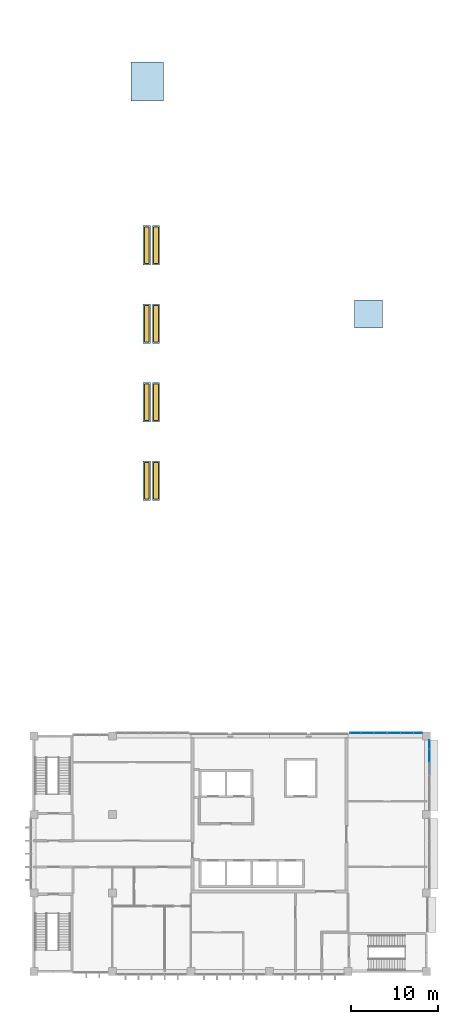
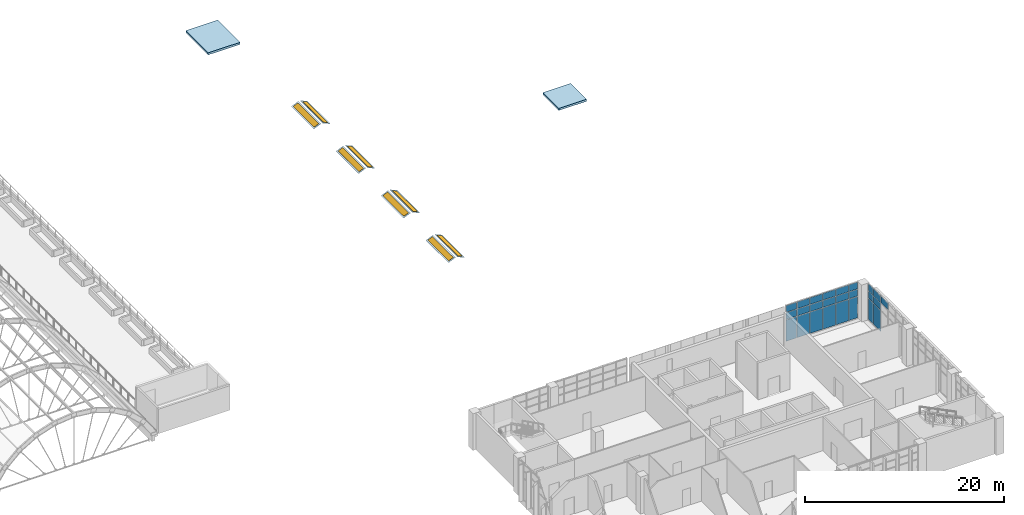
# One storey, part 49 of 79: 25 plates, 10 slabs, 8 windows, 8 openings, 2 elements without a shape of their own.
"""IFC4 building model written with IfcOpenShell, lengths in metres."""

from ifc_helpers import new_model, si_unit, direction, frame, origin, origin_2d, place, context, subcontext, project, spatial, polyline, rectangle, outline, extrude, material, layer, layer_set, type_object, element, fill, aggregate, save


model = new_model("IFC4")

# Units and contexts
model_context = context("Model", 3, precision=1e-05, world=origin(), true_north=direction((0.0, 1.0)))
body_context = subcontext(model_context, "Body", "Model", "MODEL_VIEW")
ifc_project = project(units=[si_unit("LENGTHUNIT", "METRE"), si_unit("AREAUNIT", "SQUARE_METRE"), si_unit("VOLUMEUNIT", "CUBIC_METRE"), si_unit("PLANEANGLEUNIT", "RADIAN"), si_unit("MASSUNIT", "GRAM", prefix="KILO")], contexts=[model_context])

# Site, building, storey
site_placement = place(None, origin())
site = spatial("IfcSite", under=ifc_project, at=site_placement, CompositionType="ELEMENT")
building_placement = place(site_placement, origin())
building = spatial("IfcBuilding", under=site, at=building_placement, Name="Guidao Yard Department Store", CompositionType="ELEMENT")
storey_placement = place(building_placement, frame((0.0, 0.0, 15.0)))
storey = spatial("IfcBuildingStorey", under=building, at=storey_placement, Name="L03", CompositionType="ELEMENT", Elevation=15.0)

# Slabs
ifc_material_1 = material(Name="Concrete C35", Category="concrete")
ifc_layer_1 = layer(ifc_material_1, 0.25)
ifc_layer_set_1 = layer_set([ifc_layer_1], Name="Roof slab RC 250 C35 head house")
slab_type_1 = type_object("IfcSlabType", Name="Roof slab RC 250 C35 head house", PredefinedType="ROOF", material=ifc_layer_set_1)
slab_1_placement = place(storey_placement, origin())
element("IfcSlab", 1, at=slab_1_placement, inside=storey, type_object=slab_type_1, Name="Lift overrun cover slab FG1", PredefinedType="ROOF", context=body_context, shape_type="SweptSolid", body=[
    extrude(outline(polyline([(137.14990234375, 99.75), (140.85009765625, 99.75), (140.85009765625, 104.25), (137.14990234375, 104.25), (137.14990234375, 99.75)])), origin(), (0.0, 0.0, 1.0), 0.25),
])
slab_2_placement = place(storey_placement, origin())
element("IfcSlab", 2, at=slab_2_placement, inside=storey, type_object=slab_type_1, Name="Lift overrun cover slab FL1", PredefinedType="ROOF", context=body_context, shape_type="SweptSolid", body=[
    extrude(outline(polyline([(162.75, 73.75), (165.949951171875, 73.75), (165.949951171875, 76.949951171875), (162.75, 76.949951171875), (162.75, 73.75)])), origin(), (0.0, 0.0, 1.0), 0.25),
])

# Slab, opening, window
ifc_material_2 = material(Name="Aluminium 6063-T5", Category="aluminium")
ifc_layer_2 = layer(ifc_material_2, 0.06005859375)
ifc_layer_set_2 = layer_set([ifc_layer_2], Name="Smoke vent frame SV2 aluminium")
slab_type_2 = type_object("IfcSlabType", Name="Smoke vent frame SV2 aluminium", PredefinedType="ROOF", material=ifc_layer_set_2)
slab_3_placement = place(storey_placement, frame((138.53076171875, 54.0, 1.842529296875), z_axis=(-0.402135106858, 0.0, 0.915580338273), x_axis=(0.915580338273, 0.0, 0.402135106858)))
slab_3 = element("IfcSlab", 3, at=slab_3_placement, inside=storey, type_object=slab_type_2, Name="Smoke vent frame F01-04A", PredefinedType="ROOF", context=body_context, shape_type="SweptSolid", body=[
    extrude(outline(polyline([(0.0, 0.0), (0.894881533875306, 0.0), (0.894881533875306, 4.5), (0.0, 4.5), (0.0, 0.0)])), origin(), (0.0, 0.0, -1.0), 0.06005859375),
])
opening_1_placement = place(slab_3_placement, frame((0.447509765625, 2.25, 0.0)))
opening_1 = element("IfcOpeningElement", 4, at=opening_1_placement, cuts=slab_3, Name="Opening SW-F01-04A", PredefinedType="OPENING", context=body_context, shape_type="SweptSolid", body=[
    extrude(rectangle(XDim=0.5947265625, YDim=4.199951171875, at=origin_2d()), frame((0.0, 0.0, 0.010009765625)), (0.0, 0.0, -1.0), 0.080078125),
])
ifc_material_3 = material(Name="Laminated glass in Aluminium 6063-T5 frame", Category="aluminium")
window_type = type_object("IfcWindowType", Name="Smoke vent SV2 operable skylight", PartitioningType="SINGLE_PANEL", PredefinedType="SKYLIGHT", material=ifc_material_3)
window_1_placement = place(opening_1_placement, frame((0.0, 0.0, -0.050048828125)))
window_1 = element("IfcWindow", 5, at=window_1_placement, inside=storey, type_object=window_type, Name="Smoke vent F01-04A", OverallHeight=4.199951171875, OverallWidth=0.5947265625, PartitioningType="SINGLE_PANEL", PredefinedType="SKYLIGHT", context=body_context, shape_type="SweptSolid", body=[
    extrude(rectangle(XDim=0.5947265625, YDim=4.199951171875, at=origin_2d()), origin(), (0.0, 0.0, 1.0), 0.050048828125),
])
fill(opening_1, window_1)

slab_4_placement = place(storey_placement, frame((139.601806640625, 54.0, 2.202392578125), z_axis=(0.402235577917, 0.0, 0.915536203467), x_axis=(0.915536203467, 0.0, -0.402235577917)))
slab_4 = element("IfcSlab", 6, at=slab_4_placement, inside=storey, type_object=slab_type_2, Name="Smoke vent frame F01-05A", PredefinedType="ROOF", context=body_context, shape_type="SweptSolid", body=[
    extrude(outline(polyline([(0.0, 0.0), (0.894658008906159, 0.0), (0.894658008906159, 4.5), (0.0, 4.5), (0.0, 0.0)])), origin(), (0.0, 0.0, -1.0), 0.06005859375),
])
opening_2_placement = place(slab_4_placement, frame((0.447509765625, 2.25, 0.0)))
opening_2 = element("IfcOpeningElement", 7, at=opening_2_placement, cuts=slab_4, Name="Opening SW-F01-05A", PredefinedType="OPENING", context=body_context, shape_type="SweptSolid", body=[
    extrude(rectangle(XDim=0.5947265625, YDim=4.199951171875, at=origin_2d()), frame((0.0, 0.0, 0.010009765625)), (0.0, 0.0, -1.0), 0.080078125),
])
window_2_placement = place(opening_2_placement, frame((0.0, 0.0, -0.050048828125)))
window_2 = element("IfcWindow", 8, at=window_2_placement, inside=storey, type_object=window_type, Name="Smoke vent F01-05A", OverallHeight=4.199951171875, OverallWidth=0.5947265625, PartitioningType="SINGLE_PANEL", PredefinedType="SKYLIGHT", context=body_context, shape_type="SweptSolid", body=[
    extrude(rectangle(XDim=0.5947265625, YDim=4.199951171875, at=origin_2d()), origin(), (0.0, 0.0, 1.0), 0.050048828125),
])
fill(opening_2, window_2)

slab_5_placement = place(storey_placement, frame((138.53076171875, 63.0, 1.842529296875), z_axis=(-0.402135106858, 0.0, 0.915580338273), x_axis=(0.915580338273, 0.0, 0.402135106858)))
slab_5 = element("IfcSlab", 9, at=slab_5_placement, inside=storey, type_object=slab_type_2, Name="Smoke vent frame F02-04A", PredefinedType="ROOF", context=body_context, shape_type="SweptSolid", body=[
    extrude(outline(polyline([(0.0, 0.0), (0.894881533875306, 0.0), (0.894881533875306, 4.5), (0.0, 4.5), (0.0, 0.0)])), origin(), (0.0, 0.0, -1.0), 0.06005859375),
])
opening_3_placement = place(slab_5_placement, frame((0.447509765625, 2.25, 0.0)))
opening_3 = element("IfcOpeningElement", 10, at=opening_3_placement, cuts=slab_5, Name="Opening SW-F02-04A", PredefinedType="OPENING", context=body_context, shape_type="SweptSolid", body=[
    extrude(rectangle(XDim=0.5947265625, YDim=4.199951171875, at=origin_2d()), frame((0.0, 0.0, 0.010009765625)), (0.0, 0.0, -1.0), 0.080078125),
])
window_3_placement = place(opening_3_placement, frame((0.0, 0.0, -0.050048828125)))
window_3 = element("IfcWindow", 11, at=window_3_placement, inside=storey, type_object=window_type, Name="Smoke vent F02-04A", OverallHeight=4.199951171875, OverallWidth=0.5947265625, PartitioningType="SINGLE_PANEL", PredefinedType="SKYLIGHT", context=body_context, shape_type="SweptSolid", body=[
    extrude(rectangle(XDim=0.5947265625, YDim=4.199951171875, at=origin_2d()), origin(), (0.0, 0.0, 1.0), 0.050048828125),
])
fill(opening_3, window_3)

slab_6_placement = place(storey_placement, frame((139.601806640625, 63.0, 2.202392578125), z_axis=(0.402235577917, 0.0, 0.915536203467), x_axis=(0.915536203467, 0.0, -0.402235577917)))
slab_6 = element("IfcSlab", 12, at=slab_6_placement, inside=storey, type_object=slab_type_2, Name="Smoke vent frame F02-05A", PredefinedType="ROOF", context=body_context, shape_type="SweptSolid", body=[
    extrude(outline(polyline([(0.0, 0.0), (0.894658008906159, 0.0), (0.894658008906159, 4.5), (0.0, 4.5), (0.0, 0.0)])), origin(), (0.0, 0.0, -1.0), 0.06005859375),
])
opening_4_placement = place(slab_6_placement, frame((0.447509765625, 2.25, 0.0)))
opening_4 = element("IfcOpeningElement", 13, at=opening_4_placement, cuts=slab_6, Name="Opening SW-F02-05A", PredefinedType="OPENING", context=body_context, shape_type="SweptSolid", body=[
    extrude(rectangle(XDim=0.5947265625, YDim=4.199951171875, at=origin_2d()), frame((0.0, 0.0, 0.010009765625)), (0.0, 0.0, -1.0), 0.080078125),
])
window_4_placement = place(opening_4_placement, frame((0.0, 0.0, -0.050048828125)))
window_4 = element("IfcWindow", 14, at=window_4_placement, inside=storey, type_object=window_type, Name="Smoke vent F02-05A", OverallHeight=4.199951171875, OverallWidth=0.5947265625, PartitioningType="SINGLE_PANEL", PredefinedType="SKYLIGHT", context=body_context, shape_type="SweptSolid", body=[
    extrude(rectangle(XDim=0.5947265625, YDim=4.199951171875, at=origin_2d()), origin(), (0.0, 0.0, 1.0), 0.050048828125),
])
fill(opening_4, window_4)

slab_7_placement = place(storey_placement, frame((138.53076171875, 72.0, 1.842529296875), z_axis=(-0.402135106858, 0.0, 0.915580338273), x_axis=(0.915580338273, 0.0, 0.402135106858)))
slab_7 = element("IfcSlab", 15, at=slab_7_placement, inside=storey, type_object=slab_type_2, Name="Smoke vent frame F03-04A", PredefinedType="ROOF", context=body_context, shape_type="SweptSolid", body=[
    extrude(outline(polyline([(0.0, 0.0), (0.894881533875306, 0.0), (0.894881533875306, 4.5), (0.0, 4.5), (0.0, 0.0)])), origin(), (0.0, 0.0, -1.0), 0.06005859375),
])
opening_5_placement = place(slab_7_placement, frame((0.447509765625, 2.25, 0.0)))
opening_5 = element("IfcOpeningElement", 16, at=opening_5_placement, cuts=slab_7, Name="Opening SW-F03-04A", PredefinedType="OPENING", context=body_context, shape_type="SweptSolid", body=[
    extrude(rectangle(XDim=0.5947265625, YDim=4.199951171875, at=origin_2d()), frame((0.0, 0.0, 0.010009765625)), (0.0, 0.0, -1.0), 0.080078125),
])
window_5_placement = place(opening_5_placement, frame((0.0, 0.0, -0.050048828125)))
window_5 = element("IfcWindow", 17, at=window_5_placement, inside=storey, type_object=window_type, Name="Smoke vent F03-04A", OverallHeight=4.199951171875, OverallWidth=0.5947265625, PartitioningType="SINGLE_PANEL", PredefinedType="SKYLIGHT", context=body_context, shape_type="SweptSolid", body=[
    extrude(rectangle(XDim=0.5947265625, YDim=4.199951171875, at=origin_2d()), origin(), (0.0, 0.0, 1.0), 0.050048828125),
])
fill(opening_5, window_5)

slab_8_placement = place(storey_placement, frame((139.601806640625, 72.0, 2.202392578125), z_axis=(0.402235577917, 0.0, 0.915536203467), x_axis=(0.915536203467, 0.0, -0.402235577917)))
slab_8 = element("IfcSlab", 18, at=slab_8_placement, inside=storey, type_object=slab_type_2, Name="Smoke vent frame F03-05A", PredefinedType="ROOF", context=body_context, shape_type="SweptSolid", body=[
    extrude(outline(polyline([(0.0, 0.0), (0.894658008906159, 0.0), (0.894658008906159, 4.5), (0.0, 4.5), (0.0, 0.0)])), origin(), (0.0, 0.0, -1.0), 0.06005859375),
])
opening_6_placement = place(slab_8_placement, frame((0.447509765625, 2.25, 0.0)))
opening_6 = element("IfcOpeningElement", 19, at=opening_6_placement, cuts=slab_8, Name="Opening SW-F03-05A", PredefinedType="OPENING", context=body_context, shape_type="SweptSolid", body=[
    extrude(rectangle(XDim=0.5947265625, YDim=4.199951171875, at=origin_2d()), frame((0.0, 0.0, 0.010009765625)), (0.0, 0.0, -1.0), 0.080078125),
])
window_6_placement = place(opening_6_placement, frame((0.0, 0.0, -0.050048828125)))
window_6 = element("IfcWindow", 20, at=window_6_placement, inside=storey, type_object=window_type, Name="Smoke vent F03-05A", OverallHeight=4.199951171875, OverallWidth=0.5947265625, PartitioningType="SINGLE_PANEL", PredefinedType="SKYLIGHT", context=body_context, shape_type="SweptSolid", body=[
    extrude(rectangle(XDim=0.5947265625, YDim=4.199951171875, at=origin_2d()), origin(), (0.0, 0.0, 1.0), 0.050048828125),
])
fill(opening_6, window_6)

slab_9_placement = place(storey_placement, frame((138.53076171875, 81.0, 1.842529296875), z_axis=(-0.402135106858, 0.0, 0.915580338273), x_axis=(0.915580338273, 0.0, 0.402135106858)))
slab_9 = element("IfcSlab", 21, at=slab_9_placement, inside=storey, type_object=slab_type_2, Name="Smoke vent frame F04-04A", PredefinedType="ROOF", context=body_context, shape_type="SweptSolid", body=[
    extrude(outline(polyline([(0.0, 0.0), (0.894881533875306, 0.0), (0.894881533875306, 4.5), (0.0, 4.5), (0.0, 0.0)])), origin(), (0.0, 0.0, -1.0), 0.06005859375),
])
opening_7_placement = place(slab_9_placement, frame((0.447509765625, 2.25, 0.0)))
opening_7 = element("IfcOpeningElement", 22, at=opening_7_placement, cuts=slab_9, Name="Opening SW-F04-04A", PredefinedType="OPENING", context=body_context, shape_type="SweptSolid", body=[
    extrude(rectangle(XDim=0.5947265625, YDim=4.199951171875, at=origin_2d()), frame((0.0, 0.0, 0.010009765625)), (0.0, 0.0, -1.0), 0.080078125),
])
window_7_placement = place(opening_7_placement, frame((0.0, 0.0, -0.050048828125)))
window_7 = element("IfcWindow", 23, at=window_7_placement, inside=storey, type_object=window_type, Name="Smoke vent F04-04A", OverallHeight=4.199951171875, OverallWidth=0.5947265625, PartitioningType="SINGLE_PANEL", PredefinedType="SKYLIGHT", context=body_context, shape_type="SweptSolid", body=[
    extrude(rectangle(XDim=0.5947265625, YDim=4.199951171875, at=origin_2d()), origin(), (0.0, 0.0, 1.0), 0.050048828125),
])
fill(opening_7, window_7)

slab_10_placement = place(storey_placement, frame((139.601806640625, 81.0, 2.202392578125), z_axis=(0.402235577917, 0.0, 0.915536203467), x_axis=(0.915536203467, 0.0, -0.402235577917)))
slab_10 = element("IfcSlab", 24, at=slab_10_placement, inside=storey, type_object=slab_type_2, Name="Smoke vent frame F04-05A", PredefinedType="ROOF", context=body_context, shape_type="SweptSolid", body=[
    extrude(outline(polyline([(0.0, 0.0), (0.894658008906159, 0.0), (0.894658008906159, 4.5), (0.0, 4.5), (0.0, 0.0)])), origin(), (0.0, 0.0, -1.0), 0.06005859375),
])
opening_8_placement = place(slab_10_placement, frame((0.447509765625, 2.25, 0.0)))
opening_8 = element("IfcOpeningElement", 25, at=opening_8_placement, cuts=slab_10, Name="Opening SW-F04-05A", PredefinedType="OPENING", context=body_context, shape_type="SweptSolid", body=[
    extrude(rectangle(XDim=0.5947265625, YDim=4.199951171875, at=origin_2d()), frame((0.0, 0.0, 0.010009765625)), (0.0, 0.0, -1.0), 0.080078125),
])
window_8_placement = place(opening_8_placement, frame((0.0, 0.0, -0.050048828125)))
window_8 = element("IfcWindow", 26, at=window_8_placement, inside=storey, type_object=window_type, Name="Smoke vent F04-05A", OverallHeight=4.199951171875, OverallWidth=0.5947265625, PartitioningType="SINGLE_PANEL", PredefinedType="SKYLIGHT", context=body_context, shape_type="SweptSolid", body=[
    extrude(rectangle(XDim=0.5947265625, YDim=4.199951171875, at=origin_2d()), origin(), (0.0, 0.0, 1.0), 0.050048828125),
])
fill(opening_8, window_8)

# Curtain wall, plates
ifc_material_4 = material(Name="Aluminium and glass", Category="aluminium")
ifc_layer_3 = layer(ifc_material_4, 0.159912109375)
ifc_layer_set_3 = layer_set([ifc_layer_3], Name="Unitised curtain wall CW4 1500 module")
curtain_wall_type = type_object("IfcCurtainWallType", Name="Unitised curtain wall CW4 1500 module", PredefinedType="NOTDEFINED", material=ifc_layer_set_3)
curtain_wall_1_placement = place(storey_placement, origin())
curtain_wall_1 = element("IfcCurtainWall", 27, at=curtain_wall_1_placement, inside=storey, type_object=curtain_wall_type, Name="Unitised curtain wall", PredefinedType="NOTDEFINED")
ifc_material_5 = material(Name="Aluminium 6063-T5 faced insulated spandrel", Category="aluminium")
ifc_layer_4 = layer(ifc_material_5, 0.06005859375)
ifc_layer_set_4 = layer_set([ifc_layer_4], Name="Spandrel panel SP1 insulated opaque")
plate_type_1 = type_object("IfcPlateType", Name="Spandrel panel SP1 insulated opaque", PredefinedType="CURTAIN_PANEL", material=ifc_layer_set_4)
plate_1_placement = place(storey_placement, frame((162.8525390625, 27.330078125, 3.6298828125), z_axis=(0.0, 0.0, 1.0), x_axis=(1.0, 0.0, 0.0)))
plate_1 = element("IfcPlate", 28, at=plate_1_placement, type_object=plate_type_1, Name="CW-OW-L03-08 panel 1.3", PredefinedType="CURTAIN_PANEL", context=body_context, shape_type="SweptSolid", body=[
    extrude(rectangle(XDim=1.235107421875, YDim=0.06005859375, at=origin_2d()), origin(), (0.0, 0.0, 1.0), 0.81005859375),
])
plate_2_placement = place(storey_placement, frame((164.25, 27.330078125, 3.6298828125), z_axis=(0.0, 0.0, 1.0), x_axis=(1.0, 0.0, 0.0)))
plate_2 = element("IfcPlate", 29, at=plate_2_placement, type_object=plate_type_1, Name="CW-OW-L03-08 panel 2.3", PredefinedType="CURTAIN_PANEL", context=body_context, shape_type="SweptSolid", body=[
    extrude(rectangle(XDim=1.43994140625, YDim=0.06005859375, at=origin_2d()), origin(), (0.0, 0.0, 1.0), 0.81005859375),
])
plate_3_placement = place(storey_placement, frame((165.75, 27.330078125, 3.6298828125), z_axis=(0.0, 0.0, 1.0), x_axis=(1.0, 0.0, 0.0)))
plate_3 = element("IfcPlate", 30, at=plate_3_placement, type_object=plate_type_1, Name="CW-OW-L03-08 panel 3.3", PredefinedType="CURTAIN_PANEL", context=body_context, shape_type="SweptSolid", body=[
    extrude(rectangle(XDim=1.43994140625, YDim=0.06005859375, at=origin_2d()), origin(), (0.0, 0.0, 1.0), 0.81005859375),
])
plate_4_placement = place(storey_placement, frame((167.25, 27.330078125, 3.6298828125), z_axis=(0.0, 0.0, 1.0), x_axis=(1.0, 0.0, 0.0)))
plate_4 = element("IfcPlate", 31, at=plate_4_placement, type_object=plate_type_1, Name="CW-OW-L03-08 panel 4.3", PredefinedType="CURTAIN_PANEL", context=body_context, shape_type="SweptSolid", body=[
    extrude(rectangle(XDim=1.43994140625, YDim=0.06005859375, at=origin_2d()), origin(), (0.0, 0.0, 1.0), 0.81005859375),
])
plate_5_placement = place(storey_placement, frame((168.75, 27.330078125, 3.6298828125), z_axis=(0.0, 0.0, 1.0), x_axis=(1.0, 0.0, 0.0)))
plate_5 = element("IfcPlate", 32, at=plate_5_placement, type_object=plate_type_1, Name="CW-OW-L03-08 panel 5.3", PredefinedType="CURTAIN_PANEL", context=body_context, shape_type="SweptSolid", body=[
    extrude(rectangle(XDim=1.43994140625, YDim=0.06005859375, at=origin_2d()), origin(), (0.0, 0.0, 1.0), 0.81005859375),
])
plate_6_placement = place(storey_placement, frame((170.010009765625, 27.330078125, 3.6298828125), z_axis=(0.0, 0.0, 1.0), x_axis=(1.0, 0.0, 0.0)))
plate_6 = element("IfcPlate", 33, at=plate_6_placement, type_object=plate_type_1, Name="CW-OW-L03-08 panel 6.3", PredefinedType="CURTAIN_PANEL", context=body_context, shape_type="SweptSolid", body=[
    extrude(rectangle(XDim=0.9599609375, YDim=0.06005859375, at=origin_2d()), origin(), (0.0, 0.0, 1.0), 0.81005859375),
])

curtain_wall_2_placement = place(storey_placement, origin())
curtain_wall_2 = element("IfcCurtainWall", 34, at=curtain_wall_2_placement, inside=storey, type_object=curtain_wall_type, Name="Unitised curtain wall", PredefinedType="NOTDEFINED")
plate_7_placement = place(storey_placement, frame((171.330078125, 23.25, 3.6298828125), z_axis=(0.0, 0.0, 1.0), x_axis=(0.0, -1.0, 0.0)))
plate_7 = element("IfcPlate", 35, at=plate_7_placement, type_object=plate_type_1, Name="CW-OW-L03-11 panel 4.3", PredefinedType="CURTAIN_PANEL", context=body_context, shape_type="SweptSolid", body=[
    extrude(rectangle(XDim=1.43994140625, YDim=0.06005859375, at=origin_2d()), origin(), (0.0, 0.0, 1.0), 0.81005859375),
])
plate_8_placement = place(storey_placement, frame((171.330078125, 24.75, 3.6298828125), z_axis=(0.0, 0.0, 1.0), x_axis=(0.0, -1.0, 0.0)))
plate_8 = element("IfcPlate", 36, at=plate_8_placement, type_object=plate_type_1, Name="CW-OW-L03-11 panel 5.3", PredefinedType="CURTAIN_PANEL", context=body_context, shape_type="SweptSolid", body=[
    extrude(rectangle(XDim=1.43994140625, YDim=0.06005859375, at=origin_2d()), origin(), (0.0, 0.0, 1.0), 0.81005859375),
])
plate_9_placement = place(storey_placement, frame((171.330078125, 26.010009765625, 3.6298828125), z_axis=(0.0, 0.0, 1.0), x_axis=(0.0, -1.0, 0.0)))
plate_9 = element("IfcPlate", 37, at=plate_9_placement, type_object=plate_type_1, Name="CW-OW-L03-11 panel 6.3", PredefinedType="CURTAIN_PANEL", context=body_context, shape_type="SweptSolid", body=[
    extrude(rectangle(XDim=0.9599609375, YDim=0.06005859375, at=origin_2d()), origin(), (0.0, 0.0, 1.0), 0.81005859375),
])

# Plate
ifc_material_6 = material(Name="Laminated heat-soaked tempered glass", Category="glass")
ifc_layer_5 = layer(ifc_material_6, 0.017578125)
ifc_layer_set_5 = layer_set([ifc_layer_5], Name="Vision glass VG1 laminated heat-soaked tempered 8+8")
plate_type_2 = type_object("IfcPlateType", Name="Vision glass VG1 laminated heat-soaked tempered 8+8", PredefinedType="CURTAIN_PANEL", material=ifc_layer_set_5)
plate_10_placement = place(storey_placement, frame((162.8525390625, 27.330078125, 0.06005859375), z_axis=(0.0, 0.0, 1.0), x_axis=(1.0, 0.0, 0.0)))
plate_10 = element("IfcPlate", 38, at=plate_10_placement, type_object=plate_type_2, Name="CW-OW-L03-08 panel 1.1", PredefinedType="CURTAIN_PANEL", context=body_context, shape_type="SweptSolid", body=[
    extrude(rectangle(XDim=1.235107421875, YDim=0.017578125, at=origin_2d()), origin(), (0.0, 0.0, 1.0), 2.610107421875),
])

plate_11_placement = place(storey_placement, frame((162.8525390625, 27.330078125, 2.72998046875), z_axis=(0.0, 0.0, 1.0), x_axis=(1.0, 0.0, 0.0)))
plate_11 = element("IfcPlate", 39, at=plate_11_placement, type_object=plate_type_2, Name="CW-OW-L03-08 panel 1.2", PredefinedType="CURTAIN_PANEL", context=body_context, shape_type="SweptSolid", body=[
    extrude(rectangle(XDim=1.235107421875, YDim=0.017578125, at=origin_2d()), origin(), (0.0, 0.0, 1.0), 0.840087890625),
])

plate_12_placement = place(storey_placement, frame((164.25, 27.330078125, 0.06005859375), z_axis=(0.0, 0.0, 1.0), x_axis=(1.0, 0.0, 0.0)))
plate_12 = element("IfcPlate", 40, at=plate_12_placement, type_object=plate_type_2, Name="CW-OW-L03-08 panel 2.1", PredefinedType="CURTAIN_PANEL", context=body_context, shape_type="SweptSolid", body=[
    extrude(rectangle(XDim=1.43994140625, YDim=0.017578125, at=origin_2d()), origin(), (0.0, 0.0, 1.0), 2.610107421875),
])

plate_13_placement = place(storey_placement, frame((164.25, 27.330078125, 2.72998046875), z_axis=(0.0, 0.0, 1.0), x_axis=(1.0, 0.0, 0.0)))
plate_13 = element("IfcPlate", 41, at=plate_13_placement, type_object=plate_type_2, Name="CW-OW-L03-08 panel 2.2", PredefinedType="CURTAIN_PANEL", context=body_context, shape_type="SweptSolid", body=[
    extrude(rectangle(XDim=1.43994140625, YDim=0.017578125, at=origin_2d()), origin(), (0.0, 0.0, 1.0), 0.840087890625),
])

plate_14_placement = place(storey_placement, frame((165.75, 27.330078125, 0.06005859375), z_axis=(0.0, 0.0, 1.0), x_axis=(1.0, 0.0, 0.0)))
plate_14 = element("IfcPlate", 42, at=plate_14_placement, type_object=plate_type_2, Name="CW-OW-L03-08 panel 3.1", PredefinedType="CURTAIN_PANEL", context=body_context, shape_type="SweptSolid", body=[
    extrude(rectangle(XDim=1.43994140625, YDim=0.017578125, at=origin_2d()), origin(), (0.0, 0.0, 1.0), 2.610107421875),
])

plate_15_placement = place(storey_placement, frame((165.75, 27.330078125, 2.72998046875), z_axis=(0.0, 0.0, 1.0), x_axis=(1.0, 0.0, 0.0)))
plate_15 = element("IfcPlate", 43, at=plate_15_placement, type_object=plate_type_2, Name="CW-OW-L03-08 panel 3.2", PredefinedType="CURTAIN_PANEL", context=body_context, shape_type="SweptSolid", body=[
    extrude(rectangle(XDim=1.43994140625, YDim=0.017578125, at=origin_2d()), origin(), (0.0, 0.0, 1.0), 0.840087890625),
])

plate_16_placement = place(storey_placement, frame((167.25, 27.330078125, 0.06005859375), z_axis=(0.0, 0.0, 1.0), x_axis=(1.0, 0.0, 0.0)))
plate_16 = element("IfcPlate", 44, at=plate_16_placement, type_object=plate_type_2, Name="CW-OW-L03-08 panel 4.1", PredefinedType="CURTAIN_PANEL", context=body_context, shape_type="SweptSolid", body=[
    extrude(rectangle(XDim=1.43994140625, YDim=0.017578125, at=origin_2d()), origin(), (0.0, 0.0, 1.0), 2.610107421875),
])

plate_17_placement = place(storey_placement, frame((167.25, 27.330078125, 2.72998046875), z_axis=(0.0, 0.0, 1.0), x_axis=(1.0, 0.0, 0.0)))
plate_17 = element("IfcPlate", 45, at=plate_17_placement, type_object=plate_type_2, Name="CW-OW-L03-08 panel 4.2", PredefinedType="CURTAIN_PANEL", context=body_context, shape_type="SweptSolid", body=[
    extrude(rectangle(XDim=1.43994140625, YDim=0.017578125, at=origin_2d()), origin(), (0.0, 0.0, 1.0), 0.840087890625),
])

plate_18_placement = place(storey_placement, frame((168.75, 27.330078125, 0.06005859375), z_axis=(0.0, 0.0, 1.0), x_axis=(1.0, 0.0, 0.0)))
plate_18 = element("IfcPlate", 46, at=plate_18_placement, type_object=plate_type_2, Name="CW-OW-L03-08 panel 5.1", PredefinedType="CURTAIN_PANEL", context=body_context, shape_type="SweptSolid", body=[
    extrude(rectangle(XDim=1.43994140625, YDim=0.017578125, at=origin_2d()), origin(), (0.0, 0.0, 1.0), 2.610107421875),
])

plate_19_placement = place(storey_placement, frame((168.75, 27.330078125, 2.72998046875), z_axis=(0.0, 0.0, 1.0), x_axis=(1.0, 0.0, 0.0)))
plate_19 = element("IfcPlate", 47, at=plate_19_placement, type_object=plate_type_2, Name="CW-OW-L03-08 panel 5.2", PredefinedType="CURTAIN_PANEL", context=body_context, shape_type="SweptSolid", body=[
    extrude(rectangle(XDim=1.43994140625, YDim=0.017578125, at=origin_2d()), origin(), (0.0, 0.0, 1.0), 0.840087890625),
])

plate_20_placement = place(storey_placement, frame((170.010009765625, 27.330078125, 0.06005859375), z_axis=(0.0, 0.0, 1.0), x_axis=(1.0, 0.0, 0.0)))
plate_20 = element("IfcPlate", 48, at=plate_20_placement, type_object=plate_type_2, Name="CW-OW-L03-08 panel 6.1", PredefinedType="CURTAIN_PANEL", context=body_context, shape_type="SweptSolid", body=[
    extrude(rectangle(XDim=0.9599609375, YDim=0.017578125, at=origin_2d()), origin(), (0.0, 0.0, 1.0), 2.610107421875),
])

plate_21_placement = place(storey_placement, frame((170.010009765625, 27.330078125, 2.72998046875), z_axis=(0.0, 0.0, 1.0), x_axis=(1.0, 0.0, 0.0)))
plate_21 = element("IfcPlate", 49, at=plate_21_placement, type_object=plate_type_2, Name="CW-OW-L03-08 panel 6.2", PredefinedType="CURTAIN_PANEL", context=body_context, shape_type="SweptSolid", body=[
    extrude(rectangle(XDim=0.9599609375, YDim=0.017578125, at=origin_2d()), origin(), (0.0, 0.0, 1.0), 0.840087890625),
])

aggregate(curtain_wall_1, [plate_10, plate_11, plate_1, plate_12, plate_13, plate_2, plate_14, plate_15, plate_3, plate_16, plate_17, plate_4, plate_18, plate_19, plate_5, plate_20, plate_21, plate_6])

plate_22_placement = place(storey_placement, frame((171.330078125, 24.75, 0.06005859375), z_axis=(0.0, 0.0, 1.0), x_axis=(0.0, -1.0, 0.0)))
plate_22 = element("IfcPlate", 50, at=plate_22_placement, type_object=plate_type_2, Name="CW-OW-L03-11 panel 5.1", PredefinedType="CURTAIN_PANEL", context=body_context, shape_type="SweptSolid", body=[
    extrude(rectangle(XDim=1.43994140625, YDim=0.017578125, at=origin_2d()), origin(), (0.0, 0.0, 1.0), 2.610107421875),
])

plate_23_placement = place(storey_placement, frame((171.330078125, 24.75, 2.72998046875), z_axis=(0.0, 0.0, 1.0), x_axis=(0.0, -1.0, 0.0)))
plate_23 = element("IfcPlate", 51, at=plate_23_placement, type_object=plate_type_2, Name="CW-OW-L03-11 panel 5.2", PredefinedType="CURTAIN_PANEL", context=body_context, shape_type="SweptSolid", body=[
    extrude(rectangle(XDim=1.43994140625, YDim=0.017578125, at=origin_2d()), origin(), (0.0, 0.0, 1.0), 0.840087890625),
])

plate_24_placement = place(storey_placement, frame((171.330078125, 26.010009765625, 0.06005859375), z_axis=(0.0, 0.0, 1.0), x_axis=(0.0, -1.0, 0.0)))
plate_24 = element("IfcPlate", 52, at=plate_24_placement, type_object=plate_type_2, Name="CW-OW-L03-11 panel 6.1", PredefinedType="CURTAIN_PANEL", context=body_context, shape_type="SweptSolid", body=[
    extrude(rectangle(XDim=0.9599609375, YDim=0.017578125, at=origin_2d()), origin(), (0.0, 0.0, 1.0), 2.610107421875),
])

plate_25_placement = place(storey_placement, frame((171.330078125, 26.010009765625, 2.72998046875), z_axis=(0.0, 0.0, 1.0), x_axis=(0.0, -1.0, 0.0)))
plate_25 = element("IfcPlate", 53, at=plate_25_placement, type_object=plate_type_2, Name="CW-OW-L03-11 panel 6.2", PredefinedType="CURTAIN_PANEL", context=body_context, shape_type="SweptSolid", body=[
    extrude(rectangle(XDim=0.9599609375, YDim=0.017578125, at=origin_2d()), origin(), (0.0, 0.0, 1.0), 0.840087890625),
])

aggregate(curtain_wall_2, [plate_7, plate_22, plate_23, plate_8, plate_24, plate_25, plate_9])

save(model, "model.ifc")
